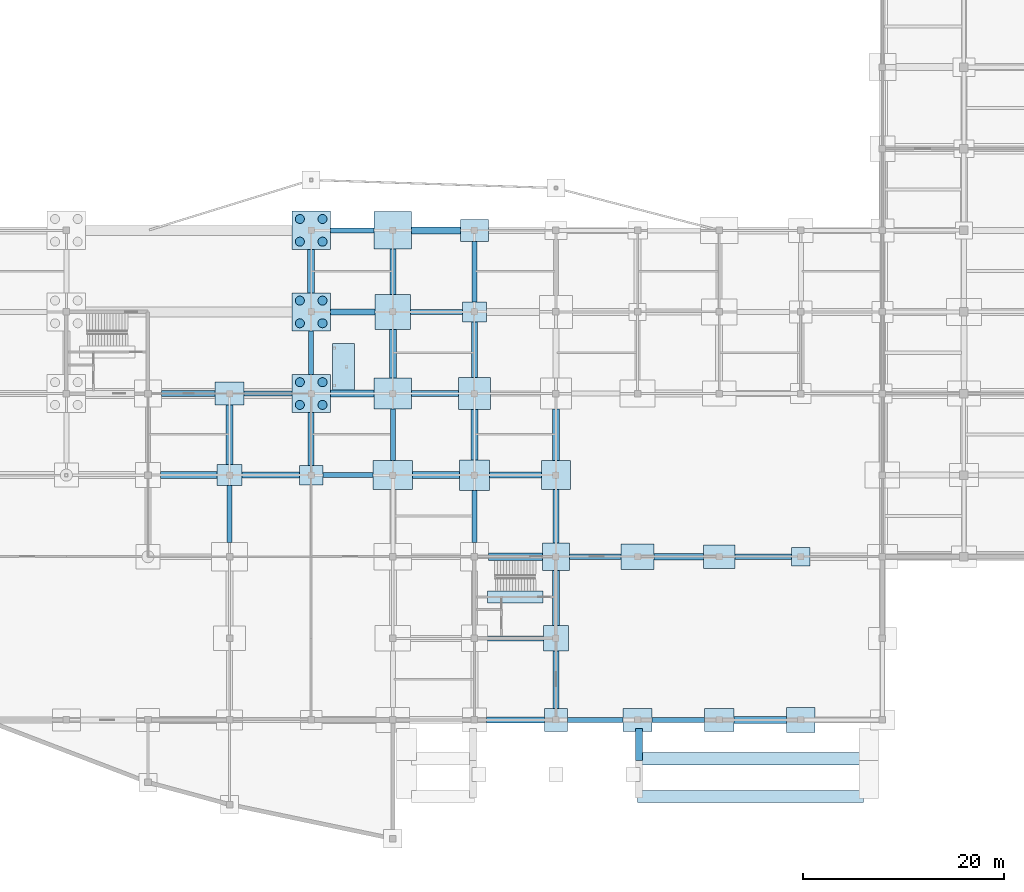
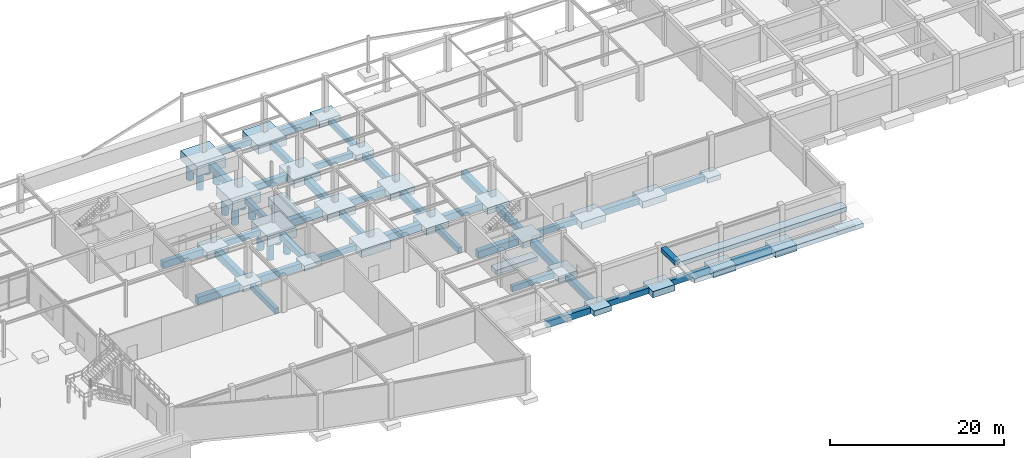
# One storey, part 3 of 67: 67 footings, 12 piles.
"""IFC4 building model written with IfcOpenShell, lengths in metres."""

import ifcopenshell
import ifcopenshell.guid

model = None  # the IFC model being written
_history = None  # IfcOwnerHistory: only IFC2X3 demands one
_inside = {}  # id of a spatial element -> (the spatial element, [elements in it])
_under = {}  # id of a project, library or spatial element -> (it, [spatial elements below it])
_declared = {}  # id of a project -> (the project, [libraries it declares])
_typed = {}  # id of a type object -> (the type object, [elements of that type])
_made_of = {}  # id of a material, layer set ... -> (it, [elements and type objects made of it])


def new_model(schema):
    """Start an empty IFC model of exactly this schema.

    Asked for "IFC4X3", IfcOpenShell would pick the latest addendum, in which some entities
    have other attributes; the version numbers below select the first issue.
    IFC2X3 requires an IfcOwnerHistory on every rooted entity: one is made here for all.
    """
    global model, _history
    if schema == "IFC4X3":
        model = ifcopenshell.file(schema_version=(4, 3, 0, 0))
    else:
        model = ifcopenshell.file(schema=schema)
    _inside.clear()
    _under.clear()
    _declared.clear()
    _typed.clear()
    _made_of.clear()
    _history = None
    if model.schema == "IFC2X3":
        org = make("IfcOrganization", Name="unknown")
        user = make(
            "IfcPersonAndOrganization",
            ThePerson=make("IfcPerson", FamilyName="unknown"),
            TheOrganization=org,
        )
        app = make(
            "IfcApplication",
            ApplicationDeveloper=org,
            Version="unknown",
            ApplicationFullName="unknown",
            ApplicationIdentifier="unknown",
        )
        _history = make(
            "IfcOwnerHistory",
            OwningUser=user,
            OwningApplication=app,
            ChangeAction="ADDED",
            CreationDate=0,
        )
    return model


def make(cls, **values):
    """One entity of the class cls with the attributes given. An attribute that is None is left unset."""
    return model.create_entity(
        cls, **{name: value for name, value in values.items() if value is not None}
    )


def rooted(cls, **values):
    """An entity with a GlobalId (a new one), such as an element, a storey or a relation."""
    return make(cls, GlobalId=ifcopenshell.guid.new(), OwnerHistory=_history, **values)


def si_unit(unit_type, name, prefix=None):
    """IfcSIUnit, for example si_unit("LENGTHUNIT", "METRE", prefix="MILLI")."""
    return make("IfcSIUnit", UnitType=unit_type, Prefix=prefix, Name=name)


def assignment(units):
    """IfcUnitAssignment: the units of a project."""
    return None if units is None else make("IfcUnitAssignment", Units=units)


def point(xyz):
    """IfcCartesianPoint."""
    return None if xyz is None else make("IfcCartesianPoint", Coordinates=xyz)


def direction(xyz):
    """IfcDirection."""
    return None if xyz is None else make("IfcDirection", DirectionRatios=xyz)


def frame(location, z_axis=None, x_axis=None):
    """IfcAxis2Placement3D, a coordinate frame: its origin and axes. An axis left out is left unset."""
    return make(
        "IfcAxis2Placement3D",
        Location=point(location),
        Axis=direction(z_axis),
        RefDirection=direction(x_axis),
    )


def frame_2d(location, x_axis=None):
    """IfcAxis2Placement2D, a coordinate frame in the plane: its origin and x axis."""
    return make(
        "IfcAxis2Placement2D", Location=point(location), RefDirection=direction(x_axis)
    )


def origin():
    """The frame at (0, 0, 0) with its axes left unset."""
    return frame((0.0, 0.0, 0.0))


def origin_2d():
    """The frame at (0, 0) in the plane with its x axis left unset."""
    return frame_2d((0.0, 0.0))


def place(relative_to, where):
    """IfcLocalPlacement: puts the frame where relative to a parent placement (None: the world)."""
    return make(
        "IfcLocalPlacement", PlacementRelTo=relative_to, RelativePlacement=where
    )


def context(
    kind, dimensions, precision=None, world=None, true_north=None, identifier=None
):
    """IfcGeometricRepresentationContext, for example the 3D "Model" context."""
    return make(
        "IfcGeometricRepresentationContext",
        ContextIdentifier=identifier,
        ContextType=kind,
        CoordinateSpaceDimension=dimensions,
        Precision=precision,
        WorldCoordinateSystem=world,
        TrueNorth=true_north,
    )


def subcontext(parent, identifier, kind, view, scale=None):
    """IfcGeometricRepresentationSubContext, for example "Body" below "Model"."""
    return make(
        "IfcGeometricRepresentationSubContext",
        ContextIdentifier=identifier,
        ContextType=kind,
        ParentContext=parent,
        TargetScale=scale,
        TargetView=view,
    )


def project(units=None, contexts=None):
    """IfcProject with its units and contexts."""
    return rooted(
        "IfcProject",
        Name="project",
        RepresentationContexts=contexts,
        UnitsInContext=assignment(units),
    )


def spatial(cls, under=None, at=None, **own):
    """A site, building, storey or space (cls), placed at a placement, below another one or the project."""
    s = rooted(cls, ObjectPlacement=at, **own)
    if under is not None:
        _under.setdefault(under.id(), (under, []))[1].append(s)
    return s


def profile(cls, at=None, kind="AREA", **sizes):
    """A parametric profile (cls). Its sizes go by their IFC names, for example OverallWidth=200.0."""
    return make(cls, ProfileType=kind, Position=at, **sizes)


def rectangle(**sizes):
    """IfcRectangleProfileDef."""
    return profile("IfcRectangleProfileDef", **sizes)


def circle(**sizes):
    """IfcCircleProfileDef."""
    return profile("IfcCircleProfileDef", **sizes)


def extrude(swept, where, along, depth):
    """IfcExtrudedAreaSolid: the profile swept, set in the frame where, extruded along a direction by depth."""
    return make(
        "IfcExtrudedAreaSolid",
        SweptArea=swept,
        Position=where,
        ExtrudedDirection=direction(along),
        Depth=depth,
    )


def shape(context_of_items, identifier, shape_type, items):
    """IfcShapeRepresentation: the items that make up one representation, for example the "Body"."""
    return make(
        "IfcShapeRepresentation",
        ContextOfItems=context_of_items,
        RepresentationIdentifier=identifier,
        RepresentationType=shape_type,
        Items=items,
    )


def material(Name=None, Category=None):
    """IfcMaterial."""
    return make("IfcMaterial", Name=Name, Category=Category)


def material_profile(
    of_material, cross_section, Name=None, Category=None, Priority=None
):
    """IfcMaterialProfile: a cross section and its material."""
    return make(
        "IfcMaterialProfile",
        Name=Name,
        Material=of_material,
        Profile=cross_section,
        Priority=Priority,
        Category=Category,
    )


def profile_set(profiles, Name=None, composite=None):
    """IfcMaterialProfileSet."""
    return make(
        "IfcMaterialProfileSet",
        Name=Name,
        MaterialProfiles=profiles,
        CompositeProfile=composite,
    )


def made_of(thing, what):
    """Note that an element or type object is made of a material, layer set ...; save() writes the relation."""
    if what is not None:
        _made_of.setdefault(what.id(), (what, []))[1].append(thing)
    return thing


def type_object(cls, material=None, **own):
    """A type object (cls), such as IfcWallType, which elements share."""
    return made_of(rooted(cls, **own), material)


def element(
    cls,
    number,
    at=None,
    inside=None,
    cuts=None,
    type_object=None,
    material=None,
    context=None,
    identifier="Body",
    shape_type=None,
    held_by="IfcProductDefinitionShape",
    body=None,
    shapes=None,
    **own,
):
    """One element of the class cls, such as IfcWall. Its Tag is "e" and its number.

    at: its placement. inside: the storey or other place that contains it. cuts: it is an
    opening in that element (IfcRelVoidsElement). A single representation is given by context,
    identifier, shape_type and body (its items); several are given by shapes. held_by: the class
    of the entity that holds the representations. save() writes the other relations.
    """
    e = rooted(cls, Tag="e%d" % number, ObjectPlacement=at, **own)
    if body is not None:
        shapes = [shape(context, identifier, shape_type, body)]
    if shapes is not None:
        e.Representation = make(held_by, Representations=shapes)
    if inside is not None:
        _inside.setdefault(inside.id(), (inside, []))[1].append(e)
    if cuts is not None:
        rooted(
            "IfcRelVoidsElement", RelatingBuildingElement=cuts, RelatedOpeningElement=e
        )
    if type_object is not None:
        _typed.setdefault(type_object.id(), (type_object, []))[1].append(e)
    return made_of(e, material)


def aggregate(whole, parts):
    """IfcRelAggregates: a whole, such as a stair, and the parts it consists of."""
    return rooted("IfcRelAggregates", RelatingObject=whole, RelatedObjects=parts)


def save(model, path):
    """Write the relations noted so far, then the file.

    IfcRelAggregates (storeys below a building ...), IfcRelContainedInSpatialStructure (elements
    in a storey), IfcRelDefinesByType, IfcRelAssociatesMaterial and IfcRelDeclares: one each for
    every whole, place, type object, material and project.
    """
    for whole, parts in _under.values():
        aggregate(whole, parts)
    for where, things in _inside.values():
        rooted(
            "IfcRelContainedInSpatialStructure",
            RelatedElements=things,
            RelatingStructure=where,
        )
    for kind, things in _typed.values():
        rooted("IfcRelDefinesByType", RelatedObjects=things, RelatingType=kind)
    for what, things in _made_of.values():
        rooted("IfcRelAssociatesMaterial", RelatedObjects=things, RelatingMaterial=what)
    for by, libraries in _declared.values():
        rooted("IfcRelDeclares", RelatingContext=by, RelatedDefinitions=libraries)
    model.write(path)


model = new_model("IFC4")

# Units and contexts
model_context = context("Model", 3, precision=1e-05, world=origin(), true_north=direction((0.0, 1.0)))
body_context = subcontext(model_context, "Body", "Model", "MODEL_VIEW")
ifc_project = project(units=[si_unit("LENGTHUNIT", "METRE"), si_unit("AREAUNIT", "SQUARE_METRE"), si_unit("VOLUMEUNIT", "CUBIC_METRE"), si_unit("PLANEANGLEUNIT", "RADIAN"), si_unit("MASSUNIT", "GRAM", prefix="KILO")], contexts=[model_context])

# Site, building, storey
site_placement = place(None, origin())
site = spatial("IfcSite", under=ifc_project, at=site_placement, CompositionType="ELEMENT")
building_placement = place(site_placement, origin())
building = spatial("IfcBuilding", under=site, at=building_placement, Name="Vaudrelin Polytechnic", CompositionType="ELEMENT")
storey_placement = place(building_placement, frame((0.0, 0.0, -5.10009765625)))
storey = spatial("IfcBuildingStorey", under=building, at=storey_placement, Name="B1", CompositionType="ELEMENT", Elevation=-5.10009765625)

# Footings
ifc_material = material(Name="Concrete 40 MPa", Category="concrete")
footing_type_1 = type_object("IfcFootingType", Name="FTG-GB-01", PredefinedType="FOOTING_BEAM", material=ifc_material)
footing_1_placement = place(storey_placement, frame((64.800048828125, 20.425048828125, -1.25), z_axis=(0.0, 0.0, 1.0), x_axis=(1.0, 0.0, 0.0)))
element("IfcFooting", 1, at=footing_1_placement, inside=storey, type_object=footing_type_1, Name="Ground tie beam GB-0129", PredefinedType="FOOTING_BEAM", context=body_context, shape_type="SweptSolid", body=[
    extrude(rectangle(XDim=0.5, YDim=5.64990234375, at=origin_2d()), origin(), (0.0, 0.0, 1.0), 0.800048828125),
])
footing_2_placement = place(storey_placement, frame((68.625, 32.39990234375, -1.25), z_axis=(0.0, 0.0, 1.0), x_axis=(1.0, 0.0, 0.0)))
element("IfcFooting", 2, at=footing_2_placement, inside=storey, type_object=footing_type_1, Name="Ground tie beam GB-0132", PredefinedType="FOOTING_BEAM", context=body_context, shape_type="SweptSolid", body=[
    extrude(rectangle(XDim=4.75, YDim=0.5, at=origin_2d()), origin(), (0.0, 0.0, 1.0), 0.800048828125),
])
footing_3_placement = place(storey_placement, frame((76.5625, 24.300048828125, -1.25), z_axis=(0.0, 0.0, 1.0), x_axis=(1.0, 0.0, 0.0)))
element("IfcFooting", 3, at=footing_3_placement, inside=storey, type_object=footing_type_1, Name="Ground tie beam GB-0141", PredefinedType="FOOTING_BEAM", context=body_context, shape_type="SweptSolid", body=[
    extrude(rectangle(XDim=4.97509765625, YDim=0.5, at=origin_2d()), origin(), (0.0, 0.0, 1.0), 0.800048828125),
])
footing_4_placement = place(storey_placement, frame((72.89990234375, 36.449951171875, -1.25), z_axis=(0.0, 0.0, 1.0), x_axis=(1.0, 0.0, 0.0)))
element("IfcFooting", 4, at=footing_4_placement, inside=storey, type_object=footing_type_1, Name="Ground tie beam GB-0144", PredefinedType="FOOTING_BEAM", context=body_context, shape_type="SweptSolid", body=[
    extrude(rectangle(XDim=0.5, YDim=4.300048828125, at=origin_2d()), origin(), (0.0, 0.0, 1.0), 0.800048828125),
])
footing_5_placement = place(storey_placement, frame((76.97509765625, 48.60009765625, -1.25), z_axis=(0.0, 0.0, 1.0), x_axis=(1.0, 0.0, 0.0)))
element("IfcFooting", 5, at=footing_5_placement, inside=storey, type_object=footing_type_1, Name="Ground tie beam GB-0147", PredefinedType="FOOTING_BEAM", context=body_context, shape_type="SweptSolid", body=[
    extrude(rectangle(XDim=4.35009765625, YDim=0.5, at=origin_2d()), origin(), (0.0, 0.0, 1.0), 0.800048828125),
])
footing_6_placement = place(storey_placement, frame((81.0, 28.300048828125, -1.25), z_axis=(0.0, 0.0, 1.0), x_axis=(1.0, 0.0, 0.0)))
element("IfcFooting", 6, at=footing_6_placement, inside=storey, type_object=footing_type_1, Name="Ground tie beam GB-0162", PredefinedType="FOOTING_BEAM", context=body_context, shape_type="SweptSolid", body=[
    extrude(rectangle(XDim=0.5, YDim=5.10009765625, at=origin_2d()), origin(), (0.0, 0.0, 1.0), 0.800048828125),
])
footing_7_placement = place(storey_placement, frame((85.324951171875, 40.5, -1.25), z_axis=(0.0, 0.0, 1.0), x_axis=(1.0, 0.0, 0.0)))
element("IfcFooting", 7, at=footing_7_placement, inside=storey, type_object=footing_type_1, Name="Ground tie beam GB-0165", PredefinedType="FOOTING_BEAM", context=body_context, shape_type="SweptSolid", body=[
    extrude(rectangle(XDim=5.14990234375, YDim=0.5, at=origin_2d()), origin(), (0.0, 0.0, 1.0), 0.800048828125),
])
footing_8_placement = place(storey_placement, frame((93.175048828125, 8.10009765625, -1.25), z_axis=(0.0, 0.0, 1.0), x_axis=(1.0, 0.0, 0.0)))
element("IfcFooting", 8, at=footing_8_placement, inside=storey, type_object=footing_type_1, Name="Ground tie beam GB-0177", PredefinedType="FOOTING_BEAM", context=body_context, shape_type="SweptSolid", body=[
    extrude(rectangle(XDim=5.550048828125, YDim=0.5, at=origin_2d()), origin(), (0.0, 0.0, 1.0), 0.800048828125),
])
footing_9_placement = place(storey_placement, frame((89.10009765625, 20.199951171875, -1.25), z_axis=(0.0, 0.0, 1.0), x_axis=(1.0, 0.0, 0.0)))
element("IfcFooting", 9, at=footing_9_placement, inside=storey, type_object=footing_type_1, Name="Ground tie beam GB-0180", PredefinedType="FOOTING_BEAM", context=body_context, shape_type="SweptSolid", body=[
    extrude(rectangle(XDim=0.5, YDim=5.199951171875, at=origin_2d()), origin(), (0.0, 0.0, 1.0), 0.800048828125),
])
footing_10_placement = place(storey_placement, frame((89.10009765625, 44.5, -1.25), z_axis=(0.0, 0.0, 1.0), x_axis=(1.0, 0.0, 0.0)))
element("IfcFooting", 10, at=footing_10_placement, inside=storey, type_object=footing_type_1, Name="Ground tie beam GB-0186", PredefinedType="FOOTING_BEAM", context=body_context, shape_type="SweptSolid", body=[
    extrude(rectangle(XDim=0.5, YDim=6.0, at=origin_2d()), origin(), (0.0, 0.0, 1.0), 0.800048828125),
])
footing_11_placement = place(storey_placement, frame((101.10009765625, 0.0, -1.25), z_axis=(0.0, 0.0, 1.0), x_axis=(1.0, 0.0, 0.0)))
element("IfcFooting", 11, at=footing_11_placement, inside=storey, type_object=footing_type_1, Name="Ground tie beam GB-0195", PredefinedType="FOOTING_BEAM", context=body_context, shape_type="SweptSolid", body=[
    extrude(rectangle(XDim=5.5, YDim=0.5, at=origin_2d()), origin(), (0.0, 0.0, 1.0), 0.800048828125),
])
footing_12_placement = place(storey_placement, frame((101.10009765625, 16.199951171875, -1.25), z_axis=(0.0, 0.0, 1.0), x_axis=(1.0, 0.0, 0.0)))
element("IfcFooting", 12, at=footing_12_placement, inside=storey, type_object=footing_type_1, Name="Ground tie beam GB-0198", PredefinedType="FOOTING_BEAM", context=body_context, shape_type="SweptSolid", body=[
    extrude(rectangle(XDim=5.10009765625, YDim=0.5, at=origin_2d()), origin(), (0.0, 0.0, 1.0), 0.800048828125),
])
footing_13_placement = place(storey_placement, frame((109.33740234375, 0.0, -1.25), z_axis=(0.0, 0.0, 1.0), x_axis=(1.0, 0.0, 0.0)))
element("IfcFooting", 13, at=footing_13_placement, inside=storey, type_object=footing_type_1, Name="Ground tie beam GB-0213", PredefinedType="FOOTING_BEAM", context=body_context, shape_type="SweptSolid", body=[
    extrude(rectangle(XDim=5.175048828125, YDim=0.5, at=origin_2d()), origin(), (0.0, 0.0, 1.0), 0.800048828125),
])
footing_14_placement = place(storey_placement, frame((117.78759765625, 16.199951171875, -1.25), z_axis=(0.0, 0.0, 1.0), x_axis=(1.0, 0.0, 0.0)))
element("IfcFooting", 14, at=footing_14_placement, inside=storey, type_object=footing_type_1, Name="Ground tie beam GB-0228", PredefinedType="FOOTING_BEAM", context=body_context, shape_type="SweptSolid", body=[
    extrude(rectangle(XDim=5.625, YDim=0.5, at=origin_2d()), origin(), (0.0, 0.0, 1.0), 0.800048828125),
])
footing_type_2 = type_object("IfcFootingType", Name="FTG-GB-02", PredefinedType="FOOTING_BEAM", material=ifc_material)
footing_15_placement = place(storey_placement, frame((60.699951171875, 32.39990234375, -1.349853515625), z_axis=(0.0, 0.0, 1.0), x_axis=(1.0, 0.0, 0.0)))
element("IfcFooting", 15, at=footing_15_placement, inside=storey, type_object=footing_type_2, Name="Ground tie beam GB-0118", PredefinedType="FOOTING_BEAM", context=body_context, shape_type="SweptSolid", body=[
    extrude(rectangle(XDim=5.300048828125, YDim=0.60009765625, at=origin_2d()), origin(), (0.0, 0.0, 1.0), 0.89990234375),
])
footing_16_placement = place(storey_placement, frame((68.887451171875, 24.300048828125, -1.349853515625), z_axis=(0.0, 0.0, 1.0), x_axis=(1.0, 0.0, 0.0)))
element("IfcFooting", 16, at=footing_16_placement, inside=storey, type_object=footing_type_2, Name="Ground tie beam GB-0130", PredefinedType="FOOTING_BEAM", context=body_context, shape_type="SweptSolid", body=[
    extrude(rectangle(XDim=5.675048828125, YDim=0.60009765625, at=origin_2d()), origin(), (0.0, 0.0, 1.0), 0.89990234375),
])
footing_17_placement = place(storey_placement, frame((72.89990234375, 27.887451171875, -1.349853515625), z_axis=(0.0, 0.0, 1.0), x_axis=(1.0, 0.0, 0.0)))
element("IfcFooting", 17, at=footing_17_placement, inside=storey, type_object=footing_type_2, Name="Ground tie beam GB-0142", PredefinedType="FOOTING_BEAM", context=body_context, shape_type="SweptSolid", body=[
    extrude(rectangle(XDim=0.60009765625, YDim=5.22509765625, at=origin_2d()), origin(), (0.0, 0.0, 1.0), 0.89990234375),
])
footing_18_placement = place(storey_placement, frame((77.02490234375, 40.5, -1.349853515625), z_axis=(0.0, 0.0, 1.0), x_axis=(1.0, 0.0, 0.0)))
element("IfcFooting", 18, at=footing_18_placement, inside=storey, type_object=footing_type_2, Name="Ground tie beam GB-0145", PredefinedType="FOOTING_BEAM", context=body_context, shape_type="SweptSolid", body=[
    extrude(rectangle(XDim=4.449951171875, YDim=0.60009765625, at=origin_2d()), origin(), (0.0, 0.0, 1.0), 0.89990234375),
])
footing_19_placement = place(storey_placement, frame((85.175048828125, 32.39990234375, -1.349853515625), z_axis=(0.0, 0.0, 1.0), x_axis=(1.0, 0.0, 0.0)))
element("IfcFooting", 19, at=footing_19_placement, inside=storey, type_object=footing_type_2, Name="Ground tie beam GB-0163", PredefinedType="FOOTING_BEAM", context=body_context, shape_type="SweptSolid", body=[
    extrude(rectangle(XDim=4.64990234375, YDim=0.60009765625, at=origin_2d()), origin(), (0.0, 0.0, 1.0), 0.89990234375),
])
footing_20_placement = place(storey_placement, frame((81.0, 44.5, -1.349853515625), z_axis=(0.0, 0.0, 1.0), x_axis=(1.0, 0.0, 0.0)))
element("IfcFooting", 20, at=footing_20_placement, inside=storey, type_object=footing_type_2, Name="Ground tie beam GB-0166", PredefinedType="FOOTING_BEAM", context=body_context, shape_type="SweptSolid", body=[
    extrude(rectangle(XDim=0.60009765625, YDim=4.5, at=origin_2d()), origin(), (0.0, 0.0, 1.0), 0.89990234375),
])
footing_21_placement = place(storey_placement, frame((93.175048828125, 0.0, -1.349853515625), z_axis=(0.0, 0.0, 1.0), x_axis=(1.0, 0.0, 0.0)))
element("IfcFooting", 21, at=footing_21_placement, inside=storey, type_object=footing_type_2, Name="Ground tie beam GB-0175", PredefinedType="FOOTING_BEAM", context=body_context, shape_type="SweptSolid", body=[
    extrude(rectangle(XDim=5.75, YDim=0.60009765625, at=origin_2d()), origin(), (0.0, 0.0, 1.0), 0.89990234375),
])
footing_22_placement = place(storey_placement, frame((93.175048828125, 24.300048828125, -1.349853515625), z_axis=(0.0, 0.0, 1.0), x_axis=(1.0, 0.0, 0.0)))
element("IfcFooting", 22, at=footing_22_placement, inside=storey, type_object=footing_type_2, Name="Ground tie beam GB-0181", PredefinedType="FOOTING_BEAM", context=body_context, shape_type="SweptSolid", body=[
    extrude(rectangle(XDim=5.14990234375, YDim=0.60009765625, at=origin_2d()), origin(), (0.0, 0.0, 1.0), 0.89990234375),
])
footing_23_placement = place(storey_placement, frame((89.10009765625, 36.75, -1.349853515625), z_axis=(0.0, 0.0, 1.0), x_axis=(1.0, 0.0, 0.0)))
element("IfcFooting", 23, at=footing_23_placement, inside=storey, type_object=footing_type_2, Name="Ground tie beam GB-0184", PredefinedType="FOOTING_BEAM", context=body_context, shape_type="SweptSolid", body=[
    extrude(rectangle(XDim=0.60009765625, YDim=5.5, at=origin_2d()), origin(), (0.0, 0.0, 1.0), 0.89990234375),
])
footing_24_placement = place(storey_placement, frame((97.199951171875, 4.0, -1.349853515625), z_axis=(0.0, 0.0, 1.0), x_axis=(1.0, 0.0, 0.0)))
element("IfcFooting", 24, at=footing_24_placement, inside=storey, type_object=footing_type_2, Name="Ground tie beam GB-0196", PredefinedType="FOOTING_BEAM", context=body_context, shape_type="SweptSolid", body=[
    extrude(rectangle(XDim=0.60009765625, YDim=5.699951171875, at=origin_2d()), origin(), (0.0, 0.0, 1.0), 0.89990234375),
])
footing_25_placement = place(storey_placement, frame((97.199951171875, 20.199951171875, -1.349853515625), z_axis=(0.0, 0.0, 1.0), x_axis=(1.0, 0.0, 0.0)))
element("IfcFooting", 25, at=footing_25_placement, inside=storey, type_object=footing_type_2, Name="Ground tie beam GB-0199", PredefinedType="FOOTING_BEAM", context=body_context, shape_type="SweptSolid", body=[
    extrude(rectangle(XDim=0.60009765625, YDim=5.300048828125, at=origin_2d()), origin(), (0.0, 0.0, 1.0), 0.89990234375),
])
footing_26_placement = place(storey_placement, frame((109.387451171875, 16.199951171875, -1.349853515625), z_axis=(0.0, 0.0, 1.0), x_axis=(1.0, 0.0, 0.0)))
element("IfcFooting", 26, at=footing_26_placement, inside=storey, type_object=footing_type_2, Name="Ground tie beam GB-0214", PredefinedType="FOOTING_BEAM", context=body_context, shape_type="SweptSolid", body=[
    extrude(rectangle(XDim=4.875, YDim=0.60009765625, at=origin_2d()), origin(), (0.0, 0.0, 1.0), 0.89990234375),
])
footing_type_3 = type_object("IfcFootingType", Name="FTG-GB-03", PredefinedType="FOOTING_BEAM", material=ifc_material)
footing_27_placement = place(storey_placement, frame((60.75, 24.300048828125, -1.449951171875), z_axis=(0.0, 0.0, 1.0), x_axis=(1.0, 0.0, 0.0)))
element("IfcFooting", 27, at=footing_27_placement, inside=storey, type_object=footing_type_3, Name="Ground tie beam GB-0116", PredefinedType="FOOTING_BEAM", context=body_context, shape_type="SweptSolid", body=[
    extrude(rectangle(XDim=5.60009765625, YDim=0.699951171875, at=origin_2d()), origin(), (0.0, 0.0, 1.0), 1.0),
])
footing_28_placement = place(storey_placement, frame((64.800048828125, 28.300048828125, -1.449951171875), z_axis=(0.0, 0.0, 1.0), x_axis=(1.0, 0.0, 0.0)))
element("IfcFooting", 28, at=footing_28_placement, inside=storey, type_object=footing_type_3, Name="Ground tie beam GB-0131", PredefinedType="FOOTING_BEAM", context=body_context, shape_type="SweptSolid", body=[
    extrude(rectangle(XDim=0.699951171875, YDim=5.89990234375, at=origin_2d()), origin(), (0.0, 0.0, 1.0), 1.0),
])
footing_29_placement = place(storey_placement, frame((76.97509765625, 32.39990234375, -1.449951171875), z_axis=(0.0, 0.0, 1.0), x_axis=(1.0, 0.0, 0.0)))
element("IfcFooting", 29, at=footing_29_placement, inside=storey, type_object=footing_type_3, Name="Ground tie beam GB-0143", PredefinedType="FOOTING_BEAM", context=body_context, shape_type="SweptSolid", body=[
    extrude(rectangle(XDim=4.35009765625, YDim=0.699951171875, at=origin_2d()), origin(), (0.0, 0.0, 1.0), 1.0),
])
footing_30_placement = place(storey_placement, frame((72.89990234375, 44.550048828125, -1.449951171875), z_axis=(0.0, 0.0, 1.0), x_axis=(1.0, 0.0, 0.0)))
element("IfcFooting", 30, at=footing_30_placement, inside=storey, type_object=footing_type_3, Name="Ground tie beam GB-0146", PredefinedType="FOOTING_BEAM", context=body_context, shape_type="SweptSolid", body=[
    extrude(rectangle(XDim=0.699951171875, YDim=4.300048828125, at=origin_2d()), origin(), (0.0, 0.0, 1.0), 1.0),
])
footing_31_placement = place(storey_placement, frame((85.27490234375, 24.300048828125, -1.449951171875), z_axis=(0.0, 0.0, 1.0), x_axis=(1.0, 0.0, 0.0)))
element("IfcFooting", 31, at=footing_31_placement, inside=storey, type_object=footing_type_3, Name="Ground tie beam GB-0161", PredefinedType="FOOTING_BEAM", context=body_context, shape_type="SweptSolid", body=[
    extrude(rectangle(XDim=4.64990234375, YDim=0.699951171875, at=origin_2d()), origin(), (0.0, 0.0, 1.0), 1.0),
])
footing_32_placement = place(storey_placement, frame((81.0, 36.35009765625, -1.449951171875), z_axis=(0.0, 0.0, 1.0), x_axis=(1.0, 0.0, 0.0)))
element("IfcFooting", 32, at=footing_32_placement, inside=storey, type_object=footing_type_3, Name="Ground tie beam GB-0164", PredefinedType="FOOTING_BEAM", context=body_context, shape_type="SweptSolid", body=[
    extrude(rectangle(XDim=0.699951171875, YDim=4.800048828125, at=origin_2d()), origin(), (0.0, 0.0, 1.0), 1.0),
])
footing_33_placement = place(storey_placement, frame((85.27490234375, 48.60009765625, -1.449951171875), z_axis=(0.0, 0.0, 1.0), x_axis=(1.0, 0.0, 0.0)))
element("IfcFooting", 33, at=footing_33_placement, inside=storey, type_object=footing_type_3, Name="Ground tie beam GB-0167", PredefinedType="FOOTING_BEAM", context=body_context, shape_type="SweptSolid", body=[
    extrude(rectangle(XDim=4.85009765625, YDim=0.699951171875, at=origin_2d()), origin(), (0.0, 0.0, 1.0), 1.0),
])
footing_34_placement = place(storey_placement, frame((93.175048828125, 16.199951171875, -1.449951171875), z_axis=(0.0, 0.0, 1.0), x_axis=(1.0, 0.0, 0.0)))
element("IfcFooting", 34, at=footing_34_placement, inside=storey, type_object=footing_type_3, Name="Ground tie beam GB-0179", PredefinedType="FOOTING_BEAM", context=body_context, shape_type="SweptSolid", body=[
    extrude(rectangle(XDim=5.35009765625, YDim=0.699951171875, at=origin_2d()), origin(), (0.0, 0.0, 1.0), 1.0),
])
footing_35_placement = place(storey_placement, frame((89.10009765625, 28.300048828125, -1.449951171875), z_axis=(0.0, 0.0, 1.0), x_axis=(1.0, 0.0, 0.0)))
element("IfcFooting", 35, at=footing_35_placement, inside=storey, type_object=footing_type_3, Name="Ground tie beam GB-0182", PredefinedType="FOOTING_BEAM", context=body_context, shape_type="SweptSolid", body=[
    extrude(rectangle(XDim=0.699951171875, YDim=5.0, at=origin_2d()), origin(), (0.0, 0.0, 1.0), 1.0),
])
footing_36_placement = place(storey_placement, frame((97.199951171875, 12.10009765625, -1.449951171875), z_axis=(0.0, 0.0, 1.0), x_axis=(1.0, 0.0, 0.0)))
element("IfcFooting", 36, at=footing_36_placement, inside=storey, type_object=footing_type_3, Name="Ground tie beam GB-0197", PredefinedType="FOOTING_BEAM", context=body_context, shape_type="SweptSolid", body=[
    extrude(rectangle(XDim=0.699951171875, YDim=5.5, at=origin_2d()), origin(), (0.0, 0.0, 1.0), 1.0),
])
footing_37_placement = place(storey_placement, frame((97.199951171875, 28.300048828125, -1.449951171875), z_axis=(0.0, 0.0, 1.0), x_axis=(1.0, 0.0, 0.0)))
element("IfcFooting", 37, at=footing_37_placement, inside=storey, type_object=footing_type_3, Name="Ground tie beam GB-0200", PredefinedType="FOOTING_BEAM", context=body_context, shape_type="SweptSolid", body=[
    extrude(rectangle(XDim=0.699951171875, YDim=5.10009765625, at=origin_2d()), origin(), (0.0, 0.0, 1.0), 1.0),
])
footing_38_placement = place(storey_placement, frame((117.47509765625, 0.0, -1.449951171875), z_axis=(0.0, 0.0, 1.0), x_axis=(1.0, 0.0, 0.0)))
element("IfcFooting", 38, at=footing_38_placement, inside=storey, type_object=footing_type_3, Name="Ground tie beam GB-0227", PredefinedType="FOOTING_BEAM", context=body_context, shape_type="SweptSolid", body=[
    extrude(rectangle(XDim=5.199951171875, YDim=0.699951171875, at=origin_2d()), origin(), (0.0, 0.0, 1.0), 1.0),
])
footing_type_4 = type_object("IfcFootingType", Name="FTG-PC-02", PredefinedType="PILE_CAP", material=ifc_material)
for number, where, z_axis, x_axis, name in (
    (39, (72.89990234375, 32.39990234375, -1.800048828125), (0.0, 0.0, 1.0), (1.0, 0.0, 0.0), "Pile cap CAP-10"),
    (40, (72.89990234375, 40.5, -1.800048828125), (0.0, 0.0, 1.0), (1.0, 0.0, 0.0), "Pile cap CAP-11"),
    (41, (72.89990234375, 48.60009765625, -1.800048828125), (0.0, 0.0, 1.0), (1.0, 0.0, 0.0), "Pile cap CAP-12"),
):
    element("IfcFooting", number, at=place(storey_placement, frame(where, z_axis=z_axis, x_axis=x_axis)), inside=storey, type_object=footing_type_4, Name=name, PredefinedType="PILE_CAP", context=body_context, shape_type="SweptSolid", body=[
        extrude(rectangle(XDim=3.800048828125, YDim=3.800048828125, at=origin_2d()), origin(), (0.0, 0.0, 1.0), 1.35009765625),
    ])
footing_type_5 = type_object("IfcFootingType", Name="FTG-PF-01", PredefinedType="PAD_FOOTING", material=ifc_material)
footing_39_placement = place(storey_placement, frame((121.5, 16.199951171875, -1.099853515625), z_axis=(0.0, 0.0, 1.0), x_axis=(1.0, 0.0, 0.0)))
element("IfcFooting", 42, at=footing_39_placement, inside=storey, type_object=footing_type_5, Name="Spread footing 15-2", PredefinedType="PAD_FOOTING", context=body_context, shape_type="SweptSolid", body=[
    extrude(rectangle(XDim=1.800048828125, YDim=1.800048828125, at=origin_2d()), origin(), (0.0, 0.0, 1.0), 0.64990234375),
])
footing_type_6 = type_object("IfcFootingType", Name="FTG-PF-07", PredefinedType="PAD_FOOTING", material=ifc_material)
footing_40_placement = place(storey_placement, frame((89.10009765625, 24.300048828125, -1.39990234375), z_axis=(0.0, 0.0, 1.0), x_axis=(1.0, 0.0, 0.0)))
element("IfcFooting", 43, at=footing_40_placement, inside=storey, type_object=footing_type_6, Name="Spread footing 11-3", PredefinedType="PAD_FOOTING", context=body_context, shape_type="SweptSolid", body=[
    extrude(rectangle(XDim=3.0, YDim=3.0, at=origin_2d()), origin(), (0.0, 0.0, 1.0), 0.949951171875),
])
footing_type_7 = type_object("IfcFootingType", Name="FTG-PF-08", PredefinedType="PAD_FOOTING", material=ifc_material)
footing_41_placement = place(storey_placement, frame((89.10009765625, 32.39990234375, -1.449951171875), z_axis=(0.0, 0.0, 1.0), x_axis=(1.0, 0.0, 0.0)))
element("IfcFooting", 44, at=footing_41_placement, inside=storey, type_object=footing_type_7, Name="Spread footing 11-4", PredefinedType="PAD_FOOTING", context=body_context, shape_type="SweptSolid", body=[
    extrude(rectangle(XDim=3.199951171875, YDim=3.199951171875, at=origin_2d()), origin(), (0.0, 0.0, 1.0), 1.0),
])
footing_type_8 = type_object("IfcFootingType", Name="FTG-PF-09", PredefinedType="PAD_FOOTING", material=ifc_material)
footing_42_placement = place(storey_placement, frame((89.10009765625, 40.5, -1.199951171875), z_axis=(0.0, 0.0, 1.0), x_axis=(1.0, 0.0, 0.0)))
element("IfcFooting", 45, at=footing_42_placement, inside=storey, type_object=footing_type_8, Name="Spread footing 11-5", PredefinedType="PAD_FOOTING", context=body_context, shape_type="SweptSolid", body=[
    extrude(rectangle(XDim=2.39990234375, YDim=2.0, at=origin_2d()), origin(), (0.0, 0.0, 1.0), 0.75),
])
footing_type_9 = type_object("IfcFootingType", Name="FTG-PF-10", PredefinedType="PAD_FOOTING", material=ifc_material)
footing_43_placement = place(storey_placement, frame((89.10009765625, 48.60009765625, -1.300048828125), z_axis=(0.0, 0.0, 1.0), x_axis=(1.0, 0.0, 0.0)))
element("IfcFooting", 46, at=footing_43_placement, inside=storey, type_object=footing_type_9, Name="Spread footing 11-6", PredefinedType="PAD_FOOTING", context=body_context, shape_type="SweptSolid", body=[
    extrude(rectangle(XDim=2.800048828125, YDim=2.199951171875, at=origin_2d()), origin(), (0.0, 0.0, 1.0), 0.85009765625),
])
footing_type_10 = type_object("IfcFootingType", Name="FTG-PF-15", PredefinedType="PAD_FOOTING", material=ifc_material)
footing_44_placement = place(storey_placement, frame((97.199951171875, 0.0, -1.199951171875), z_axis=(0.0, 0.0, 1.0), x_axis=(1.0, 0.0, 0.0)))
element("IfcFooting", 47, at=footing_44_placement, inside=storey, type_object=footing_type_10, Name="Spread footing 12-0", PredefinedType="PAD_FOOTING", context=body_context, shape_type="SweptSolid", body=[
    extrude(rectangle(XDim=2.300048828125, YDim=2.300048828125, at=origin_2d()), origin(), (0.0, 0.0, 1.0), 0.75),
])
footing_type_11 = type_object("IfcFootingType", Name="FTG-PF-16", PredefinedType="PAD_FOOTING", material=ifc_material)
footing_45_placement = place(storey_placement, frame((97.199951171875, 8.10009765625, -1.25), z_axis=(0.0, 0.0, 1.0), x_axis=(1.0, 0.0, 0.0)))
element("IfcFooting", 48, at=footing_45_placement, inside=storey, type_object=footing_type_11, Name="Spread footing 12-1", PredefinedType="PAD_FOOTING", context=body_context, shape_type="SweptSolid", body=[
    extrude(rectangle(XDim=2.5, YDim=2.5, at=origin_2d()), origin(), (0.0, 0.0, 1.0), 0.800048828125),
])
footing_type_12 = type_object("IfcFootingType", Name="FTG-PF-17", PredefinedType="PAD_FOOTING", material=ifc_material)
footing_46_placement = place(storey_placement, frame((97.199951171875, 16.199951171875, -1.300048828125), z_axis=(0.0, 0.0, 1.0), x_axis=(1.0, 0.0, 0.0)))
element("IfcFooting", 49, at=footing_46_placement, inside=storey, type_object=footing_type_12, Name="Spread footing 12-2", PredefinedType="PAD_FOOTING", context=body_context, shape_type="SweptSolid", body=[
    extrude(rectangle(XDim=2.699951171875, YDim=2.699951171875, at=origin_2d()), origin(), (0.0, 0.0, 1.0), 0.85009765625),
])
footing_type_13 = type_object("IfcFootingType", Name="FTG-PF-18", PredefinedType="PAD_FOOTING", material=ifc_material)
footing_47_placement = place(storey_placement, frame((97.199951171875, 24.300048828125, -1.349853515625), z_axis=(0.0, 0.0, 1.0), x_axis=(1.0, 0.0, 0.0)))
element("IfcFooting", 50, at=footing_47_placement, inside=storey, type_object=footing_type_13, Name="Spread footing 12-3", PredefinedType="PAD_FOOTING", context=body_context, shape_type="SweptSolid", body=[
    extrude(rectangle(XDim=2.89990234375, YDim=2.89990234375, at=origin_2d()), origin(), (0.0, 0.0, 1.0), 0.89990234375),
])
footing_type_14 = type_object("IfcFootingType", Name="FTG-PF-25", PredefinedType="PAD_FOOTING", material=ifc_material)
footing_48_placement = place(storey_placement, frame((64.800048828125, 24.300048828125, -1.22998046875), z_axis=(0.0, 0.0, 1.0), x_axis=(1.0, 0.0, 0.0)))
element("IfcFooting", 51, at=footing_48_placement, inside=storey, type_object=footing_type_14, Name="Spread footing 8-3", PredefinedType="PAD_FOOTING", context=body_context, shape_type="SweptSolid", body=[
    extrude(rectangle(XDim=2.5, YDim=2.10009765625, at=origin_2d()), origin(), (0.0, 0.0, 1.0), 0.780029296875),
])
footing_type_15 = type_object("IfcFootingType", Name="FTG-PF-26", PredefinedType="PAD_FOOTING", material=ifc_material)
for number, where, z_axis, x_axis, name in (
    (52, (64.800048828125, 32.39990234375, -1.329833984375), (0.0, 0.0, 1.0), (1.0, 0.0, 0.0), "Spread footing 8-4"),
    (53, (105.300048828125, 0.0, -1.329833984375), (0.0, 0.0, 1.0), (1.0, 0.0, 0.0), "Spread footing 13-0"),
):
    element("IfcFooting", number, at=place(storey_placement, frame(where, z_axis=z_axis, x_axis=x_axis)), inside=storey, type_object=footing_type_15, Name=name, PredefinedType="PAD_FOOTING", context=body_context, shape_type="SweptSolid", body=[
        extrude(rectangle(XDim=2.89990234375, YDim=2.300048828125, at=origin_2d()), origin(), (0.0, 0.0, 1.0), 0.8798828125),
    ])
footing_type_16 = type_object("IfcFootingType", Name="FTG-PF-27", PredefinedType="PAD_FOOTING", material=ifc_material)
footing_49_placement = place(storey_placement, frame((105.300048828125, 16.199951171875, -1.429931640625), z_axis=(0.0, 0.0, 1.0), x_axis=(1.0, 0.0, 0.0)))
element("IfcFooting", 54, at=footing_49_placement, inside=storey, type_object=footing_type_16, Name="Spread footing 13-2", PredefinedType="PAD_FOOTING", context=body_context, shape_type="SweptSolid", body=[
    extrude(rectangle(XDim=3.300048828125, YDim=2.5, at=origin_2d()), origin(), (0.0, 0.0, 1.0), 0.97998046875),
])
footing_type_17 = type_object("IfcFootingType", Name="FTG-PF-32", PredefinedType="PAD_FOOTING", material=ifc_material)
footing_50_placement = place(storey_placement, frame((72.89990234375, 24.300048828125, -1.199951171875), z_axis=(0.0, 0.0, 1.0), x_axis=(1.0, 0.0, 0.0)))
element("IfcFooting", 55, at=footing_50_placement, inside=storey, type_object=footing_type_17, Name="Spread footing 9-3", PredefinedType="PAD_FOOTING", context=body_context, shape_type="SweptSolid", body=[
    extrude(rectangle(XDim=2.35009765625, YDim=1.949951171875, at=origin_2d()), origin(), (0.0, 0.0, 1.0), 0.75),
])
footing_type_18 = type_object("IfcFootingType", Name="FTG-PF-35", PredefinedType="PAD_FOOTING", material=ifc_material)
footing_51_placement = place(storey_placement, frame((113.39990234375, 0.0, -1.349853515625), z_axis=(0.0, 0.0, 1.0), x_axis=(1.0, 0.0, 0.0)))
element("IfcFooting", 56, at=footing_51_placement, inside=storey, type_object=footing_type_18, Name="Spread footing 14-0", PredefinedType="PAD_FOOTING", context=body_context, shape_type="SweptSolid", body=[
    extrude(rectangle(XDim=2.949951171875, YDim=2.25, at=origin_2d()), origin(), (0.0, 0.0, 1.0), 0.89990234375),
])
footing_type_19 = type_object("IfcFootingType", Name="FTG-PF-36", PredefinedType="PAD_FOOTING", material=ifc_material)
footing_52_placement = place(storey_placement, frame((113.39990234375, 16.199951171875, -1.39990234375), z_axis=(0.0, 0.0, 1.0), x_axis=(1.0, 0.0, 0.0)))
element("IfcFooting", 57, at=footing_52_placement, inside=storey, type_object=footing_type_19, Name="Spread footing 14-2", PredefinedType="PAD_FOOTING", context=body_context, shape_type="SweptSolid", body=[
    extrude(rectangle(XDim=3.14990234375, YDim=2.35009765625, at=origin_2d()), origin(), (0.0, 0.0, 1.0), 0.949951171875),
])
footing_type_20 = type_object("IfcFootingType", Name="FTG-PF-40", PredefinedType="PAD_FOOTING", material=ifc_material)
footing_53_placement = place(storey_placement, frame((81.0, 24.300048828125, -1.599853515625), z_axis=(0.0, 0.0, 1.0), x_axis=(1.0, 0.0, 0.0)))
element("IfcFooting", 58, at=footing_53_placement, inside=storey, type_object=footing_type_20, Name="Spread footing 10-3", PredefinedType="PAD_FOOTING", context=body_context, shape_type="SweptSolid", body=[
    extrude(rectangle(XDim=3.89990234375, YDim=2.89990234375, at=origin_2d()), origin(), (0.0, 0.0, 1.0), 1.14990234375),
])
footing_type_21 = type_object("IfcFootingType", Name="FTG-PF-41", PredefinedType="PAD_FOOTING", material=ifc_material)
footing_54_placement = place(storey_placement, frame((81.0, 32.39990234375, -1.550048828125), z_axis=(0.0, 0.0, 1.0), x_axis=(1.0, 0.0, 0.0)))
element("IfcFooting", 59, at=footing_54_placement, inside=storey, type_object=footing_type_21, Name="Spread footing 10-4", PredefinedType="PAD_FOOTING", context=body_context, shape_type="SweptSolid", body=[
    extrude(rectangle(XDim=3.699951171875, YDim=3.10009765625, at=origin_2d()), origin(), (0.0, 0.0, 1.0), 1.10009765625),
])
footing_type_22 = type_object("IfcFootingType", Name="FTG-PF-42", PredefinedType="PAD_FOOTING", material=ifc_material)
footing_55_placement = place(storey_placement, frame((81.0, 40.5, -1.550048828125), z_axis=(0.0, 0.0, 1.0), x_axis=(1.0, 0.0, 0.0)))
element("IfcFooting", 60, at=footing_55_placement, inside=storey, type_object=footing_type_22, Name="Spread footing 10-5", PredefinedType="PAD_FOOTING", context=body_context, shape_type="SweptSolid", body=[
    extrude(rectangle(XDim=3.5, YDim=3.5, at=origin_2d()), origin(), (0.0, 0.0, 1.0), 1.10009765625),
])
footing_type_23 = type_object("IfcFootingType", Name="FTG-PF-43", PredefinedType="PAD_FOOTING", material=ifc_material)
footing_56_placement = place(storey_placement, frame((81.0, 48.60009765625, -1.599853515625), z_axis=(0.0, 0.0, 1.0), x_axis=(1.0, 0.0, 0.0)))
element("IfcFooting", 61, at=footing_56_placement, inside=storey, type_object=footing_type_23, Name="Spread footing 10-6", PredefinedType="PAD_FOOTING", context=body_context, shape_type="SweptSolid", body=[
    extrude(rectangle(XDim=3.699951171875, YDim=3.699951171875, at=origin_2d()), origin(), (0.0, 0.0, 1.0), 1.14990234375),
])
footing_type_24 = type_object("IfcFootingType", Name="FTG-PF-44", PredefinedType="PAD_FOOTING", material=ifc_material)
footing_57_placement = place(storey_placement, frame((121.5, 0.0, -1.329833984375), z_axis=(0.0, 0.0, 1.0), x_axis=(1.0, 0.0, 0.0)))
element("IfcFooting", 62, at=footing_57_placement, inside=storey, type_object=footing_type_24, Name="Spread footing 15-0", PredefinedType="PAD_FOOTING", context=body_context, shape_type="SweptSolid", body=[
    extrude(rectangle(XDim=2.85009765625, YDim=2.449951171875, at=origin_2d()), origin(), (0.0, 0.0, 1.0), 0.8798828125),
])
footing_type_25 = type_object("IfcFootingType", Name="FTG-PF-52", PredefinedType="PAD_FOOTING", material=ifc_material)
footing_58_placement = place(storey_placement, frame((76.10009765625, 35.050048828125, -1.800048828125), z_axis=(0.0, 0.0, 1.0), x_axis=(1.0, 0.0, 0.0)))
element("IfcFooting", 63, at=footing_58_placement, inside=storey, type_object=footing_type_25, Name="Winter-garden feature stair foundation pad", PredefinedType="PAD_FOOTING", context=body_context, shape_type="SweptSolid", body=[
    extrude(rectangle(XDim=2.199951171875, YDim=4.60009765625, at=origin_2d()), origin(), (0.0, 0.0, 1.0), 1.35009765625),
])
footing_type_26 = type_object("IfcFootingType", Name="FTG-SF-01", PredefinedType="STRIP_FOOTING", material=ifc_material)
for number, where, z_axis, x_axis, name in (
    (64, (116.5, -7.60009765625, 4.5), (0.0, 0.0, 1.0), (1.0, 0.0, 0.0), "Green-hill retaining footing EAST-1.1"),
    (65, (116.5, -3.85009765625, 4.5), (0.0, 0.0, 1.0), (1.0, 0.0, 0.0), "Green-hill retaining footing EAST-2.1"),
):
    element("IfcFooting", number, at=place(storey_placement, frame(where, z_axis=z_axis, x_axis=x_axis)), inside=storey, type_object=footing_type_26, Name=name, PredefinedType="STRIP_FOOTING", context=body_context, shape_type="SweptSolid", body=[
        extrude(rectangle(XDim=22.43994140625, YDim=1.199951171875, at=origin_2d()), origin(), (0.0, 0.0, 1.0), 0.60009765625),
    ])
footing_59_placement = place(storey_placement, frame((93.14990234375, 12.2099609375, -1.099853515625), z_axis=(0.0, 0.0, 1.0), x_axis=(1.0, 0.0, 0.0)))
element("IfcFooting", 66, at=footing_59_placement, inside=storey, type_object=footing_type_26, Name="Core C5 stair wall strip footing", PredefinedType="STRIP_FOOTING", context=body_context, shape_type="SweptSolid", body=[
    extrude(rectangle(XDim=5.5, YDim=1.199951171875, at=origin_2d()), origin(), (0.0, 0.0, 1.0), 0.60009765625),
])
footing_type_27 = type_object("IfcFootingType", Name="FTG-SF-05", PredefinedType="STRIP_FOOTING", material=ifc_material)
footing_60_placement = place(storey_placement, frame((105.449951171875, -2.43505859375, 4.5), z_axis=(0.0, 0.0, 1.0), x_axis=(1.0, 0.0, 0.0)))
element("IfcFooting", 67, at=footing_60_placement, inside=storey, type_object=footing_type_27, Name="Green-hill retaining footing EAST-2.3", PredefinedType="STRIP_FOOTING", context=body_context, shape_type="SweptSolid", body=[
    extrude(rectangle(XDim=0.699951171875, YDim=3.169921875, at=origin_2d()), origin(), (0.0, 0.0, 1.0), 0.60009765625),
])

# Piles
ifc_material_profile = material_profile(ifc_material, circle(Radius=0.449951171875, at=origin_2d()), Name="CAISSON900")
ifc_profile_set = profile_set([ifc_material_profile], Name="Concrete 40 MPa")
pile_type = type_object("IfcPileType", Name="PILE-CA-01", PredefinedType="BORED", material=ifc_profile_set)
for number, where, z_axis, x_axis, name in (
    (68, (71.77490234375, 31.27490234375, -1.7998046875), (0.0, 0.0, -1.0), (1.0, 0.0, 0.0), "Rock-socketed caisson P-037"),
    (69, (71.77490234375, 33.52490234375, -1.7998046875), (0.0, 0.0, -1.0), (1.0, 0.0, 0.0), "Rock-socketed caisson P-038"),
    (70, (74.02490234375, 31.27490234375, -1.7998046875), (0.0, 0.0, -1.0), (1.0, 0.0, 0.0), "Rock-socketed caisson P-039"),
    (71, (74.02490234375, 33.52490234375, -1.7998046875), (0.0, 0.0, -1.0), (1.0, 0.0, 0.0), "Rock-socketed caisson P-040"),
    (72, (71.77490234375, 39.375, -1.7998046875), (0.0, 0.0, -1.0), (1.0, 0.0, 0.0), "Rock-socketed caisson P-041"),
    (73, (71.77490234375, 41.625, -1.7998046875), (0.0, 0.0, -1.0), (1.0, 0.0, 0.0), "Rock-socketed caisson P-042"),
    (74, (74.02490234375, 39.375, -1.7998046875), (0.0, 0.0, -1.0), (1.0, 0.0, 0.0), "Rock-socketed caisson P-043"),
    (75, (74.02490234375, 41.625, -1.7998046875), (0.0, 0.0, -1.0), (1.0, 0.0, 0.0), "Rock-socketed caisson P-044"),
    (76, (71.77490234375, 47.47509765625, -1.7998046875), (0.0, 0.0, -1.0), (1.0, 0.0, 0.0), "Rock-socketed caisson P-045"),
    (77, (71.77490234375, 49.72509765625, -1.7998046875), (0.0, 0.0, -1.0), (1.0, 0.0, 0.0), "Rock-socketed caisson P-046"),
    (78, (74.02490234375, 47.47509765625, -1.7998046875), (0.0, 0.0, -1.0), (1.0, 0.0, 0.0), "Rock-socketed caisson P-047"),
    (79, (74.02490234375, 49.72509765625, -1.7998046875), (0.0, 0.0, -1.0), (1.0, 0.0, 0.0), "Rock-socketed caisson P-048"),
):
    element("IfcPile", number, at=place(storey_placement, frame(where, z_axis=z_axis, x_axis=x_axis)), inside=storey, type_object=pile_type, Name=name, PredefinedType="BORED", context=body_context, shape_type="SweptSolid", body=[
        extrude(circle(Radius=0.449951171875, at=origin_2d()), origin(), (0.0, 0.0, 1.0), 2.39990234375),
    ])

save(model, "model.ifc")
